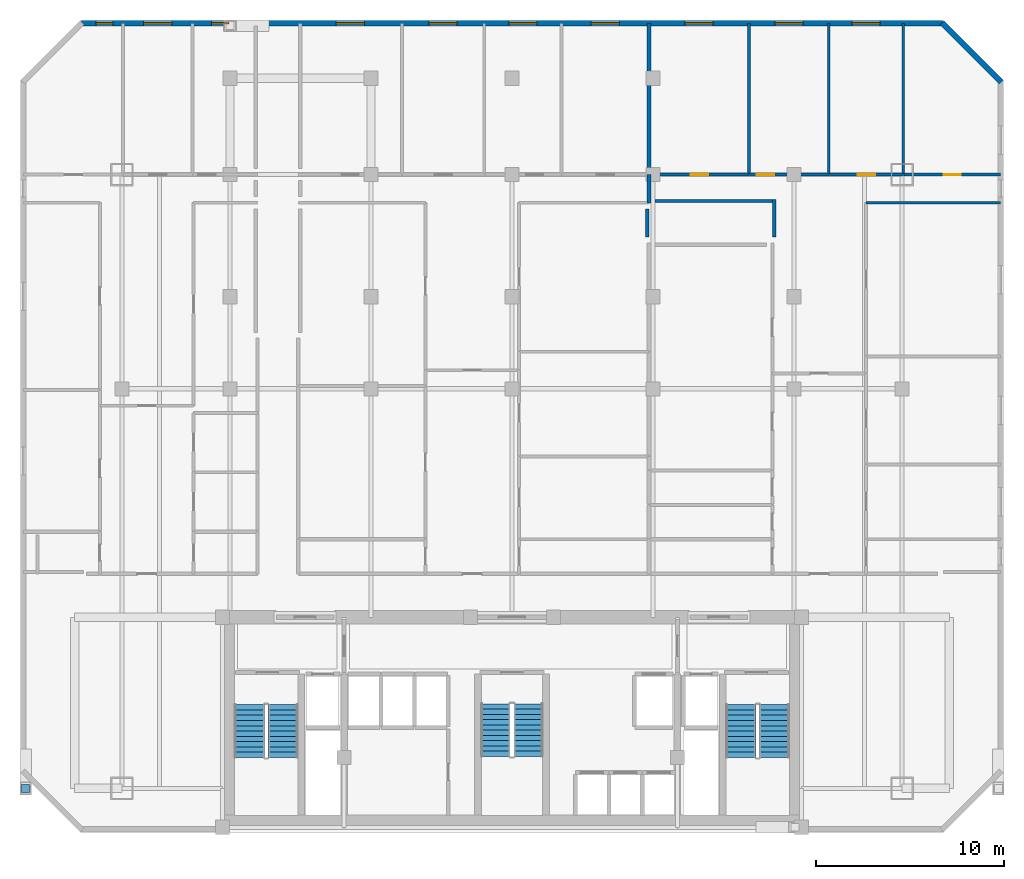
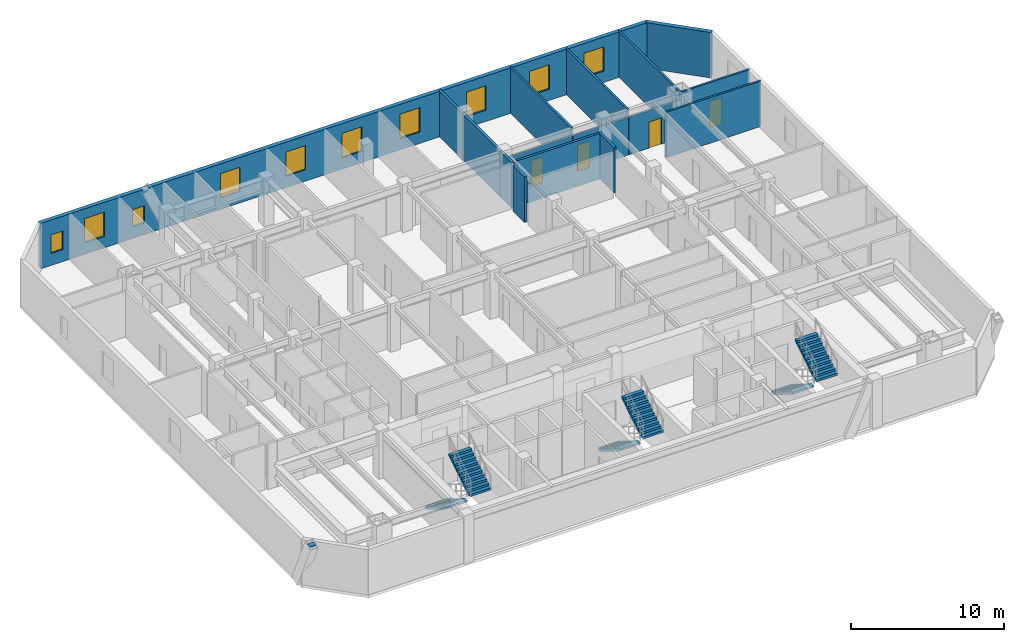
# One storey, part 7 of 9: 15 walls, 10 windows, 6 stair flights, 4 doors, 1 discrete accessory, 14 openings, 3 elements without a shape of their own.
"""IFC4 building model written with IfcOpenShell, lengths in metres."""

from ifc_helpers import new_model, si_unit, direction, frame, frame_2d, origin, origin_2d, place, context, subcontext, project, spatial, polyline, rectangle, outline, extrude, material, layer, layer_set, type_object, element, fill, aggregate, save


model = new_model("IFC4")

# Units and contexts
model_context = context("Model", 3, precision=1e-05, world=origin(), true_north=direction((0.0, 1.0)))
body_context = subcontext(model_context, "Body", "Model", "MODEL_VIEW")
ifc_project = project(units=[si_unit("LENGTHUNIT", "METRE"), si_unit("AREAUNIT", "SQUARE_METRE"), si_unit("VOLUMEUNIT", "CUBIC_METRE"), si_unit("PLANEANGLEUNIT", "RADIAN"), si_unit("MASSUNIT", "GRAM", prefix="KILO")], contexts=[model_context])

# Site, building, storey
site_placement = place(None, origin())
site = spatial("IfcSite", under=ifc_project, at=site_placement, CompositionType="ELEMENT")
building_placement = place(site_placement, origin())
building = spatial("IfcBuilding", under=site, at=building_placement, Name="Ventersveld Concourse Tower", CompositionType="ELEMENT")
storey_placement = place(building_placement, frame((0.0, 0.0, 152.89990234375)))
storey = spatial("IfcBuildingStorey", under=building, at=storey_placement, Name="L37", CompositionType="ELEMENT", Elevation=152.89990234375)

# Walls
ifc_material_1 = material(Name="Fire-rated autoclaved aerated masonry blockwork", Category="masonry")
ifc_layer_1 = layer(ifc_material_1, 0.179931640625)
ifc_layer_set_1 = layer_set([ifc_layer_1], Name="Fire-rated autoclaved aerated masonry blockwork")
wall_type_1 = type_object("IfcWallType", Name="WL-CORR-180", PredefinedType="PARTITIONING", material=ifc_layer_set_1)
wall_1_placement = place(storey_placement, frame((35.952392578125, 33.175048828125, 0.0), z_axis=(0.0, 0.0, 1.0), x_axis=(0.0, -1.0, 0.0)))
element("IfcWall", 1, at=wall_1_placement, inside=storey, type_object=wall_type_1, Name="L37 Room Enclosure Wall SP-L37-37N1-DENS2", PredefinedType="PARTITIONING", context=body_context, shape_type="SweptSolid", body=[
    extrude(rectangle(XDim=1.504638671875, YDim=0.179931640625, at=frame_2d((0.75244140625, 0.0))), origin(), (0.0, 0.0, 1.0), 3.630126953125),
])
wall_2_placement = place(storey_placement, frame((42.788330078125, 33.590087890625, 0.0), z_axis=(0.0, 0.0, 1.0), x_axis=(-1.0, 0.0, 0.0)))
element("IfcWall", 2, at=wall_2_placement, inside=storey, type_object=wall_type_1, Name="L37 Room Enclosure Wall SP-L37-37N2-LIV", PredefinedType="PARTITIONING", context=body_context, shape_type="SweptSolid", body=[
    extrude(rectangle(XDim=6.421142578125, YDim=0.179931640625, at=frame_2d((3.21044921875, 0.0))), origin(), (0.0, 0.0, 1.0), 3.630126953125),
])
wall_3_placement = place(storey_placement, frame((42.693359375, 31.67041015625, 0.0), z_axis=(0.0, 0.0, 1.0), x_axis=(0.0, 1.0, 0.0)))
element("IfcWall", 3, at=wall_3_placement, inside=storey, type_object=wall_type_1, Name="L37 Room Enclosure Wall SP-L37-37N2-LIV", PredefinedType="PARTITIONING", context=body_context, shape_type="SweptSolid", body=[
    extrude(rectangle(XDim=2.0146484375, YDim=0.179931640625, at=frame_2d((1.00732421875, 0.0))), origin(), (0.0, 0.0, 1.0), 3.630126953125),
])
ifc_layer_2 = layer(ifc_material_1, 0.199951171875)
ifc_layer_set_2 = layer_set([ifc_layer_2], Name="Fire-rated autoclaved aerated masonry blockwork")
wall_type_2 = type_object("IfcWallType", Name="WL-DEMISE-200", PredefinedType="PARTITIONING", material=ifc_layer_set_2)
wall_4_placement = place(storey_placement, frame((36.042236328125, 33.4951171875, 0.0), z_axis=(0.0, 0.0, 1.0), x_axis=(0.0, 1.0, 0.0)))
element("IfcWall", 4, at=wall_4_placement, inside=storey, type_object=wall_type_2, Name="L37 Interior Partition SP-L37-37N1-LIV-SP-L37-37N2-LIV", PredefinedType="PARTITIONING", context=body_context, shape_type="SweptSolid", body=[
    extrude(rectangle(XDim=1.509765625, YDim=0.199951171875, at=frame_2d((0.7548828125, 0.0))), origin(), (0.0, 0.0, 1.0), 3.630126953125),
])
wall_5_placement = place(storey_placement, frame((36.042236328125, 35.034912109375, 0.0), z_axis=(0.0, 0.0, 1.0), x_axis=(0.0, 1.0, 0.0)))
element("IfcWall", 5, at=wall_5_placement, inside=storey, type_object=wall_type_2, Name="L37 Interior Partition SP-L37-37N1-BR4-SP-L37-37N2-BR1", PredefinedType="PARTITIONING", context=body_context, shape_type="SweptSolid", body=[
    extrude(rectangle(XDim=7.99267578125, YDim=0.199951171875, at=frame_2d((3.996337890625, 0.0))), origin(), (0.0, 0.0, 1.0), 3.630126953125),
])
ifc_material_2 = material(Name="Autoclaved aerated masonry blockwork", Category="masonry")
ifc_layer_3 = layer(ifc_material_2, 0.14990234375)
ifc_layer_set_3 = layer_set([ifc_layer_3], Name="Autoclaved aerated masonry blockwork")
wall_type_3 = type_object("IfcWallType", Name="WL-INT-150", PredefinedType="PARTITIONING", material=ifc_layer_set_3)
wall_6_placement = place(storey_placement, frame((47.578369140625, 33.5, 0.0), z_axis=(0.0, 0.0, 1.0), x_axis=(1.0, 0.0, 0.0)))
element("IfcWall", 6, at=wall_6_placement, inside=storey, type_object=wall_type_3, Name="L37 Interior Partition SP-L37-37N2-LIV-SP-L37-37N2-DENS2", PredefinedType="PARTITIONING", context=body_context, shape_type="SweptSolid", body=[
    extrude(rectangle(XDim=7.149169921875, YDim=0.14990234375, at=frame_2d((3.57470703125, 0.0))), origin(), (0.0, 0.0, 1.0), 3.630126953125),
])

# Wall, opening, door
wall_7_placement = place(storey_placement, frame((36.077392578125, 35.0, 0.0), z_axis=(0.0, 0.0, 1.0), x_axis=(1.0, 0.0, 0.0)))
wall_7 = element("IfcWall", 7, at=wall_7_placement, inside=storey, type_object=wall_type_3, Name="L37 Interior Partition SP-L37-37N2-LIV-SP-L37-37N2-BR1", PredefinedType="PARTITIONING", context=body_context, shape_type="SweptSolid", body=[
    extrude(rectangle(XDim=5.2880859375, YDim=0.14990234375, at=frame_2d((2.64404296875, 0.0))), origin(), (0.0, 0.0, 1.0), 3.012939453125),
])
opening_1_placement = place(wall_7_placement, frame((2.18408203125, 0.0, 0.0)))
opening_1 = element("IfcOpeningElement", 8, at=opening_1_placement, cuts=wall_7, Name="Opening ID1", PredefinedType="OPENING", context=body_context, shape_type="SweptSolid", body=[
    extrude(rectangle(XDim=0.919921875, YDim=2.10009765625, at=frame_2d((0.4599609375, 1.050048828125))), frame((0.0, 0.0849609375, 0.0), z_axis=(0.0, -1.0, 0.0), x_axis=(1.0, 0.0, 0.0)), (0.0, 0.0, 1.0), 0.169921875),
])
ifc_material_3 = material(Name="Solid-core hardwood veneer timber", Category="wood")
door_type = type_object("IfcDoorType", Name="DR-ROOM-092", OperationType="NOTDEFINED", PredefinedType="DOOR", material=ifc_material_3)
door_1_placement = place(opening_1_placement, origin())
door_1 = element("IfcDoor", 9, at=door_1_placement, inside=storey, type_object=door_type, Name="L37 Interior Door SP-L37-37N2-LIV to SP-L37-37N2-BR1 (D-L37-1846)", OperationType="SINGLE_SWING_RIGHT", OverallHeight=2.10009765625, OverallWidth=0.919921875, PredefinedType="DOOR", context=body_context, shape_type="SweptSolid", body=[
    extrude(rectangle(XDim=0.919921875, YDim=2.10009765625, at=frame_2d((0.4599609375, 1.050048828125))), frame((0.0, 0.02490234375, 0.0), z_axis=(0.0, -1.0, 0.0), x_axis=(1.0, 0.0, 0.0)), (0.0, 0.0, 1.0), 0.050048828125),
])
fill(opening_1, door_1)

wall_8_placement = place(storey_placement, frame((41.3955078125, 35.0, 0.0), z_axis=(0.0, 0.0, 1.0), x_axis=(1.0, 0.0, 0.0)))
wall_8 = element("IfcWall", 10, at=wall_8_placement, inside=storey, type_object=wall_type_3, Name="L37 Interior Partition SP-L37-37N2-LIV-SP-L37-37N2-BR2", PredefinedType="PARTITIONING", context=body_context, shape_type="SweptSolid", body=[
    extrude(rectangle(XDim=4.20654296875, YDim=0.14990234375, at=frame_2d((2.103271484375, 0.0))), origin(), (0.0, 0.0, 1.0), 3.012939453125),
])
opening_2_placement = place(wall_8_placement, frame((0.38134765625, 0.0, 0.0)))
opening_2 = element("IfcOpeningElement", 11, at=opening_2_placement, cuts=wall_8, Name="Opening ID1", PredefinedType="OPENING", context=body_context, shape_type="SweptSolid", body=[
    extrude(rectangle(XDim=0.919921875, YDim=2.10009765625, at=frame_2d((0.4599609375, 1.050048828125))), frame((0.0, 0.0849609375, 0.0), z_axis=(0.0, -1.0, 0.0), x_axis=(1.0, 0.0, 0.0)), (0.0, 0.0, 1.0), 0.169921875),
])
door_2_placement = place(opening_2_placement, origin())
door_2 = element("IfcDoor", 12, at=door_2_placement, inside=storey, type_object=door_type, Name="L37 Interior Door SP-L37-37N2-LIV to SP-L37-37N2-BR2 (D-L37-1847)", OperationType="SINGLE_SWING_LEFT", OverallHeight=2.10009765625, OverallWidth=0.919921875, PredefinedType="DOOR", context=body_context, shape_type="SweptSolid", body=[
    extrude(rectangle(XDim=0.919921875, YDim=2.10009765625, at=frame_2d((0.4599609375, 1.050048828125))), frame((0.0, 0.02490234375, 0.0), z_axis=(0.0, -1.0, 0.0), x_axis=(1.0, 0.0, 0.0)), (0.0, 0.0, 1.0), 0.050048828125),
])
fill(opening_2, door_2)

wall_9_placement = place(storey_placement, frame((45.632080078125, 35.0, 0.0), z_axis=(0.0, 0.0, 1.0), x_axis=(1.0, 0.0, 0.0)))
wall_9 = element("IfcWall", 13, at=wall_9_placement, inside=storey, type_object=wall_type_3, Name="L37 Interior Partition SP-L37-37N2-LIV-SP-L37-37N2-BR3", PredefinedType="PARTITIONING", context=body_context, shape_type="SweptSolid", body=[
    extrude(rectangle(XDim=3.93603515625, YDim=0.14990234375, at=frame_2d((1.968017578125, 0.0))), origin(), (0.0, 0.0, 1.0), 3.012939453125),
])
opening_3_placement = place(wall_9_placement, frame((1.508056640625, 0.0, 0.0)))
opening_3 = element("IfcOpeningElement", 14, at=opening_3_placement, cuts=wall_9, Name="Opening ID1", PredefinedType="OPENING", context=body_context, shape_type="SweptSolid", body=[
    extrude(rectangle(XDim=0.919921875, YDim=2.10009765625, at=frame_2d((0.4599609375, 1.050048828125))), frame((0.0, 0.0849609375, 0.0), z_axis=(0.0, -1.0, 0.0), x_axis=(1.0, 0.0, 0.0)), (0.0, 0.0, 1.0), 0.169921875),
])
door_3_placement = place(opening_3_placement, origin())
door_3 = element("IfcDoor", 15, at=door_3_placement, inside=storey, type_object=door_type, Name="L37 Interior Door SP-L37-37N2-LIV to SP-L37-37N2-BR3 (D-L37-1848)", OperationType="SINGLE_SWING_RIGHT", OverallHeight=2.10009765625, OverallWidth=0.919921875, PredefinedType="DOOR", context=body_context, shape_type="SweptSolid", body=[
    extrude(rectangle(XDim=0.919921875, YDim=2.10009765625, at=frame_2d((0.4599609375, 1.050048828125))), frame((0.0, 0.02490234375, 0.0), z_axis=(0.0, -1.0, 0.0), x_axis=(1.0, 0.0, 0.0)), (0.0, 0.0, 1.0), 0.050048828125),
])
fill(opening_3, door_3)

wall_10_placement = place(storey_placement, frame((49.59814453125, 35.0, 0.0), z_axis=(0.0, 0.0, 1.0), x_axis=(1.0, 0.0, 0.0)))
wall_10 = element("IfcWall", 16, at=wall_10_placement, inside=storey, type_object=wall_type_3, Name="L37 Interior Partition SP-L37-37N2-LIV-SP-L37-37N2-BR4", PredefinedType="PARTITIONING", context=body_context, shape_type="SweptSolid", body=[
    extrude(rectangle(XDim=5.12939453125, YDim=0.14990234375, at=frame_2d((2.564697265625, 0.0))), origin(), (0.0, 0.0, 1.0), 3.630126953125),
])
opening_4_placement = place(wall_10_placement, frame((2.104736328125, 0.0, 0.0)))
opening_4 = element("IfcOpeningElement", 17, at=opening_4_placement, cuts=wall_10, Name="Opening ID1", PredefinedType="OPENING", context=body_context, shape_type="SweptSolid", body=[
    extrude(rectangle(XDim=0.919921875, YDim=2.10009765625, at=frame_2d((0.4599609375, 1.050048828125))), frame((0.0, 0.0849609375, 0.0), z_axis=(0.0, -1.0, 0.0), x_axis=(1.0, 0.0, 0.0)), (0.0, 0.0, 1.0), 0.169921875),
])
door_4_placement = place(opening_4_placement, origin())
door_4 = element("IfcDoor", 18, at=door_4_placement, inside=storey, type_object=door_type, Name="L37 Interior Door SP-L37-37N2-LIV to SP-L37-37N2-BR4 (D-L37-1849)", OperationType="SINGLE_SWING_LEFT", OverallHeight=2.10009765625, OverallWidth=0.919921875, PredefinedType="DOOR", context=body_context, shape_type="SweptSolid", body=[
    extrude(rectangle(XDim=0.919921875, YDim=2.10009765625, at=frame_2d((0.4599609375, 1.050048828125))), frame((0.0, 0.02490234375, 0.0), z_axis=(0.0, -1.0, 0.0), x_axis=(1.0, 0.0, 0.0)), (0.0, 0.0, 1.0), 0.050048828125),
])
fill(opening_4, door_4)

# Walls
for number, where, z_axis, x_axis, name in (
    (19, (41.360595703125, 34.9951171875, 0.0), (0.0, 0.0, 1.0), (0.0, 1.0, 0.0), "L37 Interior Partition SP-L37-37N2-BR1-SP-L37-37N2-BR2"),
    (20, (45.596923828125, 34.9951171875, 0.0), (0.0, 0.0, 1.0), (0.0, 1.0, 0.0), "L37 Interior Partition SP-L37-37N2-BR2-SP-L37-37N2-BR3"),
    (21, (49.56298828125, 34.9951171875, 0.0), (0.0, 0.0, 1.0), (0.0, 1.0, 0.0), "L37 Interior Partition SP-L37-37N2-BR3-SP-L37-37N2-BR4"),
):
    element("IfcWall", number, at=place(storey_placement, frame(where, z_axis=z_axis, x_axis=x_axis)), inside=storey, type_object=wall_type_3, Name=name, PredefinedType="PARTITIONING", context=body_context, shape_type="SweptSolid", body=[
        extrude(rectangle(XDim=8.032470703125, YDim=0.14990234375, at=frame_2d((4.01611328125, 0.0))), origin(), (0.0, 0.0, 1.0), 3.630126953125),
    ])
ifc_material_4 = material(Name="Precast concrete C45/55", Category="concrete")
ifc_layer_4 = layer(ifc_material_4, 0.300048828125)
ifc_layer_set_4 = layer_set([ifc_layer_4], Name="Precast concrete C45/55")
wall_type_4 = type_object("IfcWallType", Name="WL-PREC-300", PredefinedType="SOLIDWALL", material=ifc_layer_set_4)
wall_11_placement = place(storey_placement, frame((54.765625, 39.922119140625, 0.0), z_axis=(0.0, 0.0, 1.0), x_axis=(-0.707079321262, 0.707134240044, 0.0)))
element("IfcWall", 22, at=wall_11_placement, inside=storey, type_object=wall_type_4, Name="L37 Highveld Precast Facade Wall E04", PredefinedType="SOLIDWALL", context=body_context, shape_type="SweptSolid", body=[
    extrude(rectangle(XDim=4.445556640625, YDim=0.300048828125, at=frame_2d((2.22265625, 0.0))), origin(), (0.0, 0.0, 1.0), 3.630126953125),
])

# Wall, openings, windows
wall_12_placement = place(storey_placement, frame((51.659912109375, 43.050048828125, 0.0), z_axis=(0.0, 0.0, 1.0), x_axis=(-1.0, 0.0, 0.0)))
wall_12 = element("IfcWall", 23, at=wall_12_placement, inside=storey, type_object=wall_type_4, Name="L37 Highveld Precast Facade Wall E05", PredefinedType="SOLIDWALL", context=body_context, shape_type="SweptSolid", body=[
    extrude(rectangle(XDim=45.81982421875, YDim=0.300048828125, at=frame_2d((22.909912109375, 0.0))), origin(), (0.0, 0.0, 1.0), 3.630126953125),
])
opening_5_placement = place(wall_12_placement, frame((44.139892578125, 0.0, 0.949951171875)))
opening_5 = element("IfcOpeningElement", 24, at=opening_5_placement, cuts=wall_12, Name="Opening W4", PredefinedType="OPENING", context=body_context, shape_type="SweptSolid", body=[
    extrude(rectangle(XDim=0.89990234375, YDim=1.5, at=frame_2d((0.449951171875, 0.75))), frame((0.0, 0.16015625, 0.0), z_axis=(0.0, -1.0, 0.0), x_axis=(1.0, 0.0, 0.0)), (0.0, 0.0, 1.0), 0.320068359375),
])
opening_6_placement = place(wall_12_placement, frame((41.00439453125, 0.0, 0.89990234375)))
opening_6 = element("IfcOpeningElement", 25, at=opening_6_placement, cuts=wall_12, Name="Opening W1", PredefinedType="OPENING", context=body_context, shape_type="SweptSolid", body=[
    extrude(rectangle(XDim=1.5, YDim=1.949951171875, at=frame_2d((0.75, 0.97509765625))), frame((0.0, 0.16015625, 0.0), z_axis=(0.0, -1.0, 0.0), x_axis=(1.0, 0.0, 0.0)), (0.0, 0.0, 1.0), 0.320068359375),
])
opening_7_placement = place(wall_12_placement, frame((37.986083984375, 0.0, 0.89990234375)))
opening_7 = element("IfcOpeningElement", 26, at=opening_7_placement, cuts=wall_12, Name="Opening W8", PredefinedType="OPENING", context=body_context, shape_type="SweptSolid", body=[
    extrude(rectangle(XDim=0.89990234375, YDim=1.39990234375, at=frame_2d((0.449951171875, 0.699951171875))), frame((0.0, 0.16015625, 0.0), z_axis=(0.0, -1.0, 0.0), x_axis=(1.0, 0.0, 0.0)), (0.0, 0.0, 1.0), 0.320068359375),
])
opening_8_placement = place(wall_12_placement, frame((30.76806640625, 0.0, 0.89990234375)))
opening_8 = element("IfcOpeningElement", 27, at=opening_8_placement, cuts=wall_12, Name="Opening W1", PredefinedType="OPENING", context=body_context, shape_type="SweptSolid", body=[
    extrude(rectangle(XDim=1.5, YDim=1.949951171875, at=frame_2d((0.75, 0.97509765625))), frame((0.0, 0.16015625, 0.0), z_axis=(0.0, -1.0, 0.0), x_axis=(1.0, 0.0, 0.0)), (0.0, 0.0, 1.0), 0.320068359375),
])
opening_9_placement = place(wall_12_placement, frame((25.824951171875, 0.0, 0.89990234375)))
opening_9 = element("IfcOpeningElement", 28, at=opening_9_placement, cuts=wall_12, Name="Opening W1", PredefinedType="OPENING", context=body_context, shape_type="SweptSolid", body=[
    extrude(rectangle(XDim=1.5, YDim=1.949951171875, at=frame_2d((0.75, 0.97509765625))), frame((0.0, 0.16015625, 0.0), z_axis=(0.0, -1.0, 0.0), x_axis=(1.0, 0.0, 0.0)), (0.0, 0.0, 1.0), 0.320068359375),
])
opening_10_placement = place(wall_12_placement, frame((21.58203125, 0.0, 0.89990234375)))
opening_10 = element("IfcOpeningElement", 29, at=opening_10_placement, cuts=wall_12, Name="Opening W1", PredefinedType="OPENING", context=body_context, shape_type="SweptSolid", body=[
    extrude(rectangle(XDim=1.5, YDim=1.949951171875, at=frame_2d((0.75, 0.97509765625))), frame((0.0, 0.16015625, 0.0), z_axis=(0.0, -1.0, 0.0), x_axis=(1.0, 0.0, 0.0)), (0.0, 0.0, 1.0), 0.320068359375),
])
opening_11_placement = place(wall_12_placement, frame((17.19921875, 0.0, 0.89990234375)))
opening_11 = element("IfcOpeningElement", 30, at=opening_11_placement, cuts=wall_12, Name="Opening W1", PredefinedType="OPENING", context=body_context, shape_type="SweptSolid", body=[
    extrude(rectangle(XDim=1.5, YDim=1.949951171875, at=frame_2d((0.75, 0.97509765625))), frame((0.0, 0.16015625, 0.0), z_axis=(0.0, -1.0, 0.0), x_axis=(1.0, 0.0, 0.0)), (0.0, 0.0, 1.0), 0.320068359375),
])
opening_12_placement = place(wall_12_placement, frame((12.20849609375, 0.0, 0.89990234375)))
opening_12 = element("IfcOpeningElement", 31, at=opening_12_placement, cuts=wall_12, Name="Opening W1", PredefinedType="OPENING", context=body_context, shape_type="SweptSolid", body=[
    extrude(rectangle(XDim=1.5, YDim=1.949951171875, at=frame_2d((0.75, 0.97509765625))), frame((0.0, 0.16015625, 0.0), z_axis=(0.0, -1.0, 0.0), x_axis=(1.0, 0.0, 0.0)), (0.0, 0.0, 1.0), 0.320068359375),
])
opening_13_placement = place(wall_12_placement, frame((7.43115234375, 0.0, 0.89990234375)))
opening_13 = element("IfcOpeningElement", 32, at=opening_13_placement, cuts=wall_12, Name="Opening W1", PredefinedType="OPENING", context=body_context, shape_type="SweptSolid", body=[
    extrude(rectangle(XDim=1.5, YDim=1.949951171875, at=frame_2d((0.75, 0.97509765625))), frame((0.0, 0.16015625, 0.0), z_axis=(0.0, -1.0, 0.0), x_axis=(1.0, 0.0, 0.0)), (0.0, 0.0, 1.0), 0.320068359375),
])
opening_14_placement = place(wall_12_placement, frame((3.329833984375, 0.0, 0.89990234375)))
opening_14 = element("IfcOpeningElement", 33, at=opening_14_placement, cuts=wall_12, Name="Opening W1", PredefinedType="OPENING", context=body_context, shape_type="SweptSolid", body=[
    extrude(rectangle(XDim=1.5, YDim=1.949951171875, at=frame_2d((0.75, 0.97509765625))), frame((0.0, 0.16015625, 0.0), z_axis=(0.0, -1.0, 0.0), x_axis=(1.0, 0.0, 0.0)), (0.0, 0.0, 1.0), 0.320068359375),
])
ifc_material_5 = material(Name="Tempered acoustic Low-E IGU", Category="glass")
window_type_1 = type_object("IfcWindowType", Name="WIN-090x140", PartitioningType="SINGLE_PANEL", PredefinedType="WINDOW", material=ifc_material_5)
window_1_placement = place(opening_7_placement, origin())
window_1 = element("IfcWindow", 34, at=window_1_placement, inside=storey, type_object=window_type_1, Name="L37 Punched Low-E Window W-0488", OverallHeight=1.39990234375, OverallWidth=0.89990234375, PartitioningType="SINGLE_PANEL", PredefinedType="WINDOW", context=body_context, shape_type="SweptSolid", body=[
    extrude(rectangle(XDim=0.89990234375, YDim=1.39990234375, at=frame_2d((0.449951171875, 0.699951171875))), frame((0.0, 0.030029296875, 0.0), z_axis=(0.0, -1.0, 0.0), x_axis=(1.0, 0.0, 0.0)), (0.0, 0.0, 1.0), 0.06005859375),
])
fill(opening_7, window_1)
window_type_2 = type_object("IfcWindowType", Name="WIN-090x150", PartitioningType="SINGLE_PANEL", PredefinedType="WINDOW", material=ifc_material_5)
window_2_placement = place(opening_5_placement, origin())
window_2 = element("IfcWindow", 35, at=window_2_placement, inside=storey, type_object=window_type_2, Name="L37 Punched Low-E Window W-0486", OverallHeight=1.5, OverallWidth=0.89990234375, PartitioningType="SINGLE_PANEL", PredefinedType="WINDOW", context=body_context, shape_type="SweptSolid", body=[
    extrude(rectangle(XDim=0.89990234375, YDim=1.5, at=frame_2d((0.449951171875, 0.75))), frame((0.0, 0.030029296875, 0.0), z_axis=(0.0, -1.0, 0.0), x_axis=(1.0, 0.0, 0.0)), (0.0, 0.0, 1.0), 0.06005859375),
])
fill(opening_5, window_2)
window_type_3 = type_object("IfcWindowType", Name="WIN-150x210", PartitioningType="SINGLE_PANEL", PredefinedType="WINDOW", material=ifc_material_5)
window_3_placement = place(opening_6_placement, origin())
window_3 = element("IfcWindow", 36, at=window_3_placement, inside=storey, type_object=window_type_3, Name="L37 Punched Low-E Window W-0487", OverallHeight=1.949951171875, OverallWidth=1.5, PartitioningType="SINGLE_PANEL", PredefinedType="WINDOW", context=body_context, shape_type="SweptSolid", body=[
    extrude(rectangle(XDim=1.5, YDim=1.949951171875, at=frame_2d((0.75, 0.97509765625))), frame((0.0, 0.030029296875, 0.0), z_axis=(0.0, -1.0, 0.0), x_axis=(1.0, 0.0, 0.0)), (0.0, 0.0, 1.0), 0.06005859375),
])
fill(opening_6, window_3)
window_4_placement = place(opening_8_placement, origin())
window_4 = element("IfcWindow", 37, at=window_4_placement, inside=storey, type_object=window_type_3, Name="L37 Punched Low-E Window W-0489", OverallHeight=1.949951171875, OverallWidth=1.5, PartitioningType="SINGLE_PANEL", PredefinedType="WINDOW", context=body_context, shape_type="SweptSolid", body=[
    extrude(rectangle(XDim=1.5, YDim=1.949951171875, at=frame_2d((0.75, 0.97509765625))), frame((0.0, 0.030029296875, 0.0), z_axis=(0.0, -1.0, 0.0), x_axis=(1.0, 0.0, 0.0)), (0.0, 0.0, 1.0), 0.06005859375),
])
fill(opening_8, window_4)
window_5_placement = place(opening_9_placement, origin())
window_5 = element("IfcWindow", 38, at=window_5_placement, inside=storey, type_object=window_type_3, Name="L37 Punched Low-E Window W-0490", OverallHeight=1.949951171875, OverallWidth=1.5, PartitioningType="SINGLE_PANEL", PredefinedType="WINDOW", context=body_context, shape_type="SweptSolid", body=[
    extrude(rectangle(XDim=1.5, YDim=1.949951171875, at=frame_2d((0.75, 0.97509765625))), frame((0.0, 0.030029296875, 0.0), z_axis=(0.0, -1.0, 0.0), x_axis=(1.0, 0.0, 0.0)), (0.0, 0.0, 1.0), 0.06005859375),
])
fill(opening_9, window_5)
window_6_placement = place(opening_10_placement, origin())
window_6 = element("IfcWindow", 39, at=window_6_placement, inside=storey, type_object=window_type_3, Name="L37 Punched Low-E Window W-0491", OverallHeight=1.949951171875, OverallWidth=1.5, PartitioningType="SINGLE_PANEL", PredefinedType="WINDOW", context=body_context, shape_type="SweptSolid", body=[
    extrude(rectangle(XDim=1.5, YDim=1.949951171875, at=frame_2d((0.75, 0.97509765625))), frame((0.0, 0.030029296875, 0.0), z_axis=(0.0, -1.0, 0.0), x_axis=(1.0, 0.0, 0.0)), (0.0, 0.0, 1.0), 0.06005859375),
])
fill(opening_10, window_6)
window_7_placement = place(opening_11_placement, origin())
window_7 = element("IfcWindow", 40, at=window_7_placement, inside=storey, type_object=window_type_3, Name="L37 Punched Low-E Window W-0492", OverallHeight=1.949951171875, OverallWidth=1.5, PartitioningType="SINGLE_PANEL", PredefinedType="WINDOW", context=body_context, shape_type="SweptSolid", body=[
    extrude(rectangle(XDim=1.5, YDim=1.949951171875, at=frame_2d((0.75, 0.97509765625))), frame((0.0, 0.030029296875, 0.0), z_axis=(0.0, -1.0, 0.0), x_axis=(1.0, 0.0, 0.0)), (0.0, 0.0, 1.0), 0.06005859375),
])
fill(opening_11, window_7)
window_8_placement = place(opening_12_placement, origin())
window_8 = element("IfcWindow", 41, at=window_8_placement, inside=storey, type_object=window_type_3, Name="L37 Punched Low-E Window W-0498", OverallHeight=1.949951171875, OverallWidth=1.5, PartitioningType="SINGLE_PANEL", PredefinedType="WINDOW", context=body_context, shape_type="SweptSolid", body=[
    extrude(rectangle(XDim=1.5, YDim=1.949951171875, at=frame_2d((0.75, 0.97509765625))), frame((0.0, 0.030029296875, 0.0), z_axis=(0.0, -1.0, 0.0), x_axis=(1.0, 0.0, 0.0)), (0.0, 0.0, 1.0), 0.06005859375),
])
fill(opening_12, window_8)
window_9_placement = place(opening_13_placement, origin())
window_9 = element("IfcWindow", 42, at=window_9_placement, inside=storey, type_object=window_type_3, Name="L37 Punched Low-E Window W-0499", OverallHeight=1.949951171875, OverallWidth=1.5, PartitioningType="SINGLE_PANEL", PredefinedType="WINDOW", context=body_context, shape_type="SweptSolid", body=[
    extrude(rectangle(XDim=1.5, YDim=1.949951171875, at=frame_2d((0.75, 0.97509765625))), frame((0.0, 0.030029296875, 0.0), z_axis=(0.0, -1.0, 0.0), x_axis=(1.0, 0.0, 0.0)), (0.0, 0.0, 1.0), 0.06005859375),
])
fill(opening_13, window_9)
window_10_placement = place(opening_14_placement, origin())
window_10 = element("IfcWindow", 43, at=window_10_placement, inside=storey, type_object=window_type_3, Name="L37 Punched Low-E Window W-0500", OverallHeight=1.949951171875, OverallWidth=1.5, PartitioningType="SINGLE_PANEL", PredefinedType="WINDOW", context=body_context, shape_type="SweptSolid", body=[
    extrude(rectangle(XDim=1.5, YDim=1.949951171875, at=frame_2d((0.75, 0.97509765625))), frame((0.0, 0.030029296875, 0.0), z_axis=(0.0, -1.0, 0.0), x_axis=(1.0, 0.0, 0.0)), (0.0, 0.0, 1.0), 0.06005859375),
])
fill(opening_14, window_10)

# Stair, stair flights
ifc_material_6 = material(Name="Concrete C50/60", Category="concrete")
stair_type_1 = type_object("IfcStairType", Name="ST-DOG-155", PredefinedType="HALF_TURN_STAIR", material=ifc_material_6)
stair_1_placement = place(storey_placement, origin())
stair_1 = element("IfcStair", 44, at=stair_1_placement, inside=storey, type_object=stair_type_1, Name="L37 Protected Central Core Escape Stair ST-03", PredefinedType="HALF_TURN_STAIR")
stair_flight_type_1 = type_object("IfcStairFlightType", Name="STF-RC-155", PredefinedType="STRAIGHT", material=ifc_material_6)
stair_flight_1_placement = place(storey_placement, frame((27.875, 6.85009765625, 0.0), z_axis=(0.0, 0.0, 1.0), x_axis=(0.0, -1.0, 0.0)))
stair_flight_1 = element("IfcStairFlight", 45, at=stair_flight_1_placement, type_object=stair_flight_type_1, Name="ST-03 flight 1", NumberOfRisers=11, NumberOfTreads=10, PredefinedType="STRAIGHT", RiserHeight=0.175, TreadLength=0.28, context=body_context, shape_type="SweptSolid", body=[
    extrude(outline(polyline([(0.0, 0.0), (0.0, 0.175048828125), (0.280029296875, 0.175048828125), (0.280029296875, 0.35009765625), (0.56005859375, 0.35009765625), (0.56005859375, 0.52490234375), (0.840087890625, 0.52490234375), (0.840087890625, 0.699951171875), (1.1201171875, 0.699951171875), (1.1201171875, 0.875), (1.39990234375, 0.875), (1.39990234375, 1.050048828125), (1.679931640625, 1.050048828125), (1.679931640625, 1.22509765625), (1.9599609375, 1.22509765625), (1.9599609375, 1.39990234375), (2.239990234375, 1.39990234375), (2.239990234375, 1.574951171875), (2.52001953125, 1.574951171875), (2.52001953125, 1.75), (2.800048828125, 1.75), (2.800048828125, 1.925048828125), (2.800048828125, 1.5732421875), (0.28271484375, 0.0), (0.0, 0.0)])), frame((0.0, 0.77490234375, 0.0), z_axis=(0.0, -1.0, 0.0), x_axis=(1.0, 0.0, 0.0)), (0.0, 0.0, 1.0), 1.550048828125),
])
stair_flight_2_placement = place(storey_placement, frame((29.625, 4.050048828125, 1.925048828125), z_axis=(0.0, 0.0, 1.0), x_axis=(0.0, 1.0, 0.0)))
stair_flight_2 = element("IfcStairFlight", 46, at=stair_flight_2_placement, type_object=stair_flight_type_1, Name="ST-03 flight 2", NumberOfRisers=11, NumberOfTreads=10, PredefinedType="STRAIGHT", RiserHeight=0.175, TreadLength=0.28, context=body_context, shape_type="SweptSolid", body=[
    extrude(outline(polyline([(0.0, 0.0), (0.0, 0.175048828125), (0.280029296875, 0.175048828125), (0.280029296875, 0.35009765625), (0.56005859375, 0.35009765625), (0.56005859375, 0.52490234375), (0.840087890625, 0.52490234375), (0.840087890625, 0.699951171875), (1.1201171875, 0.699951171875), (1.1201171875, 0.875), (1.39990234375, 0.875), (1.39990234375, 1.050048828125), (1.679931640625, 1.050048828125), (1.679931640625, 1.22509765625), (1.9599609375, 1.22509765625), (1.9599609375, 1.39990234375), (2.239990234375, 1.39990234375), (2.239990234375, 1.574951171875), (2.52001953125, 1.574951171875), (2.52001953125, 1.75), (2.800048828125, 1.75), (2.800048828125, 1.925048828125), (2.800048828125, 1.5732421875), (0.28271484375, 0.0), (0.0, 0.0)])), frame((0.0, 0.77490234375, 0.0), z_axis=(0.0, -1.0, 0.0), x_axis=(1.0, 0.0, 0.0)), (0.0, 0.0, 1.0), 1.550048828125),
])
aggregate(stair_1, [stair_flight_1, stair_flight_2])

stair_type_2 = type_object("IfcStairType", Name="ST-DOG-160", PredefinedType="HALF_TURN_STAIR", material=ifc_material_6)
stair_2_placement = place(storey_placement, origin())
stair_2 = element("IfcStair", 47, at=stair_2_placement, inside=storey, type_object=stair_type_2, Name="L37 Protected Tower Escape Stair ST-01", PredefinedType="HALF_TURN_STAIR")
stair_flight_type_2 = type_object("IfcStairFlightType", Name="STF-RC-160", PredefinedType="STRAIGHT", material=ifc_material_6)
stair_flight_3_placement = place(storey_placement, frame((14.780029296875, 6.800048828125, 0.0), z_axis=(0.0, 0.0, 1.0), x_axis=(0.0, -1.0, 0.0)))
stair_flight_3 = element("IfcStairFlight", 48, at=stair_flight_3_placement, type_object=stair_flight_type_2, Name="ST-01 flight 1", NumberOfRisers=11, NumberOfTreads=10, PredefinedType="STRAIGHT", RiserHeight=0.175, TreadLength=0.28, context=body_context, shape_type="SweptSolid", body=[
    extrude(outline(polyline([(0.0, 0.0), (0.0, 0.175048828125), (0.280029296875, 0.175048828125), (0.280029296875, 0.35009765625), (0.56005859375, 0.35009765625), (0.56005859375, 0.52490234375), (0.840087890625, 0.52490234375), (0.840087890625, 0.699951171875), (1.1201171875, 0.699951171875), (1.1201171875, 0.875), (1.39990234375, 0.875), (1.39990234375, 1.050048828125), (1.679931640625, 1.050048828125), (1.679931640625, 1.22509765625), (1.9599609375, 1.22509765625), (1.9599609375, 1.39990234375), (2.239990234375, 1.39990234375), (2.239990234375, 1.574951171875), (2.52001953125, 1.574951171875), (2.52001953125, 1.75), (2.800048828125, 1.75), (2.800048828125, 1.925048828125), (2.800048828125, 1.5732421875), (0.28271484375, 0.0), (0.0, 0.0)])), frame((0.0, 0.800048828125, 0.0), z_axis=(0.0, -1.0, 0.0), x_axis=(1.0, 0.0, 0.0)), (0.0, 0.0, 1.0), 1.60009765625),
])
stair_flight_4_placement = place(storey_placement, frame((16.580078125, 4.0, 1.925048828125), z_axis=(0.0, 0.0, 1.0), x_axis=(0.0, 1.0, 0.0)))
stair_flight_4 = element("IfcStairFlight", 49, at=stair_flight_4_placement, type_object=stair_flight_type_2, Name="ST-01 flight 2", NumberOfRisers=11, NumberOfTreads=10, PredefinedType="STRAIGHT", RiserHeight=0.175, TreadLength=0.28, context=body_context, shape_type="SweptSolid", body=[
    extrude(outline(polyline([(0.0, 0.0), (0.0, 0.175048828125), (0.280029296875, 0.175048828125), (0.280029296875, 0.35009765625), (0.56005859375, 0.35009765625), (0.56005859375, 0.52490234375), (0.840087890625, 0.52490234375), (0.840087890625, 0.699951171875), (1.1201171875, 0.699951171875), (1.1201171875, 0.875), (1.39990234375, 0.875), (1.39990234375, 1.050048828125), (1.679931640625, 1.050048828125), (1.679931640625, 1.22509765625), (1.9599609375, 1.22509765625), (1.9599609375, 1.39990234375), (2.239990234375, 1.39990234375), (2.239990234375, 1.574951171875), (2.52001953125, 1.574951171875), (2.52001953125, 1.75), (2.800048828125, 1.75), (2.800048828125, 1.925048828125), (2.800048828125, 1.5732421875), (0.28271484375, 0.0), (0.0, 0.0)])), frame((0.0, 0.800048828125, 0.0), z_axis=(0.0, -1.0, 0.0), x_axis=(1.0, 0.0, 0.0)), (0.0, 0.0, 1.0), 1.60009765625),
])
aggregate(stair_2, [stair_flight_3, stair_flight_4])

stair_3_placement = place(storey_placement, origin())
stair_3 = element("IfcStair", 50, at=stair_3_placement, inside=storey, type_object=stair_type_2, Name="L37 Protected Tower Escape Stair ST-02", PredefinedType="HALF_TURN_STAIR")
stair_flight_5_placement = place(storey_placement, frame((40.919921875, 6.800048828125, 0.0), z_axis=(0.0, 0.0, 1.0), x_axis=(0.0, -1.0, 0.0)))
stair_flight_5 = element("IfcStairFlight", 51, at=stair_flight_5_placement, type_object=stair_flight_type_2, Name="ST-02 flight 1", NumberOfRisers=11, NumberOfTreads=10, PredefinedType="STRAIGHT", RiserHeight=0.175, TreadLength=0.28, context=body_context, shape_type="SweptSolid", body=[
    extrude(outline(polyline([(0.0, 0.0), (0.0, 0.175048828125), (0.280029296875, 0.175048828125), (0.280029296875, 0.35009765625), (0.56005859375, 0.35009765625), (0.56005859375, 0.52490234375), (0.840087890625, 0.52490234375), (0.840087890625, 0.699951171875), (1.1201171875, 0.699951171875), (1.1201171875, 0.875), (1.39990234375, 0.875), (1.39990234375, 1.050048828125), (1.679931640625, 1.050048828125), (1.679931640625, 1.22509765625), (1.9599609375, 1.22509765625), (1.9599609375, 1.39990234375), (2.239990234375, 1.39990234375), (2.239990234375, 1.574951171875), (2.52001953125, 1.574951171875), (2.52001953125, 1.75), (2.800048828125, 1.75), (2.800048828125, 1.925048828125), (2.800048828125, 1.5732421875), (0.28271484375, 0.0), (0.0, 0.0)])), frame((0.0, 0.800048828125, 0.0), z_axis=(0.0, -1.0, 0.0), x_axis=(1.0, 0.0, 0.0)), (0.0, 0.0, 1.0), 1.60009765625),
])
stair_flight_6_placement = place(storey_placement, frame((42.719970703125, 4.0, 1.925048828125), z_axis=(0.0, 0.0, 1.0), x_axis=(0.0, 1.0, 0.0)))
stair_flight_6 = element("IfcStairFlight", 52, at=stair_flight_6_placement, type_object=stair_flight_type_2, Name="ST-02 flight 2", NumberOfRisers=11, NumberOfTreads=10, PredefinedType="STRAIGHT", RiserHeight=0.175, TreadLength=0.28, context=body_context, shape_type="SweptSolid", body=[
    extrude(outline(polyline([(0.0, 0.0), (0.0, 0.175048828125), (0.280029296875, 0.175048828125), (0.280029296875, 0.35009765625), (0.56005859375, 0.35009765625), (0.56005859375, 0.52490234375), (0.840087890625, 0.52490234375), (0.840087890625, 0.699951171875), (1.1201171875, 0.699951171875), (1.1201171875, 0.875), (1.39990234375, 0.875), (1.39990234375, 1.050048828125), (1.679931640625, 1.050048828125), (1.679931640625, 1.22509765625), (1.9599609375, 1.22509765625), (1.9599609375, 1.39990234375), (2.239990234375, 1.39990234375), (2.239990234375, 1.574951171875), (2.52001953125, 1.574951171875), (2.52001953125, 1.75), (2.800048828125, 1.75), (2.800048828125, 1.925048828125), (2.800048828125, 1.5732421875), (0.28271484375, 0.0), (0.0, 0.0)])), frame((0.0, 0.800048828125, 0.0), z_axis=(0.0, -1.0, 0.0), x_axis=(1.0, 0.0, 0.0)), (0.0, 0.0, 1.0), 1.60009765625),
])
aggregate(stair_3, [stair_flight_5, stair_flight_6])

# Discrete accessory
ifc_material_7 = material(Name="Structural steel S355J2", Category="steel")
discrete_accessory_type = type_object("IfcDiscreteAccessoryType", Name="CONN-BRACE-ECP1", PredefinedType="BRACKET", material=ifc_material_7)
discrete_accessory_placement = place(storey_placement, frame((2.8798828125, 2.35009765625, 3.610107421875), z_axis=(0.0, 0.0, 1.0), x_axis=(1.0, 0.0, 0.0)))
element("IfcDiscreteAccessory", 53, at=discrete_accessory_placement, inside=storey, type_object=discrete_accessory_type, Name="L37 Steel Brace End Connection Plate ECP1-0327", PredefinedType="BRACKET", context=body_context, shape_type="SweptSolid", body=[
    extrude(rectangle(XDim=0.419921875, YDim=0.419921875, at=origin_2d()), origin(), (0.0, 0.0, 1.0), 0.0400390625),
])

save(model, "model.ifc")
